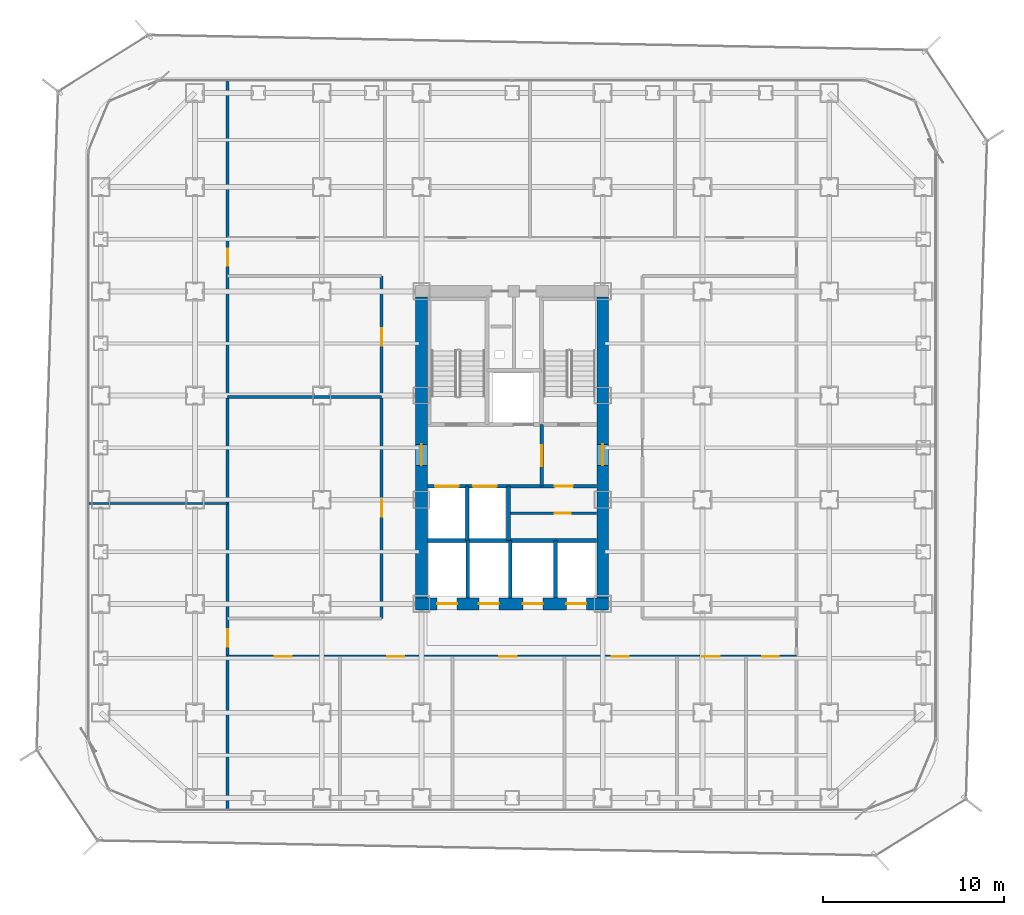
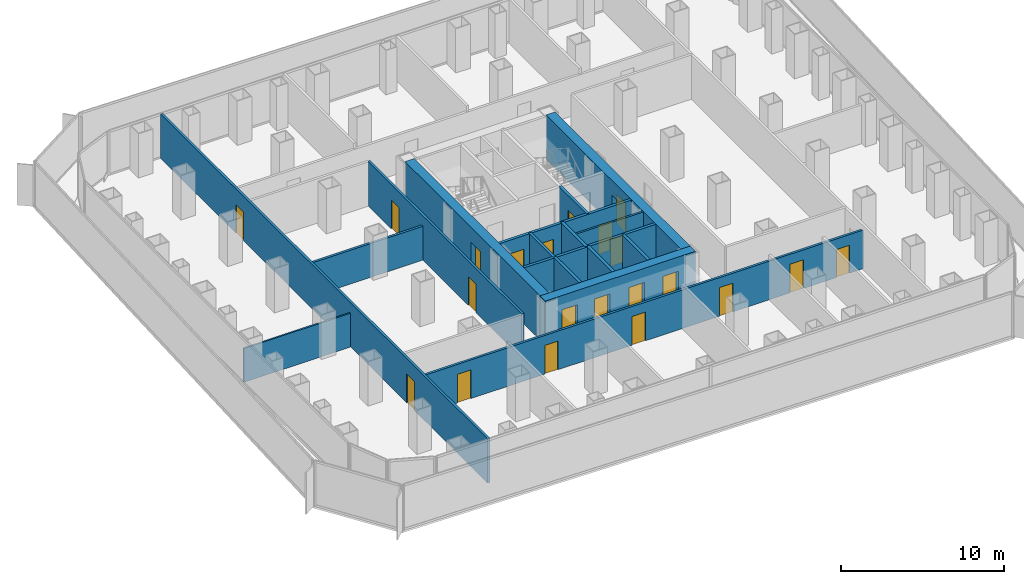
# One storey, part 17 of 22: 21 doors, 17 walls, 21 openings.
"""IFC4 building model written with IfcOpenShell, lengths in metres."""

from ifc_helpers import new_model, si_unit, direction, frame, frame_2d, origin, place, context, subcontext, project, spatial, rectangle, extrude, material, layer, layer_set, type_object, element, fill, save


model = new_model("IFC4")

# Units and contexts
model_context = context("Model", 3, precision=1e-05, world=origin(), true_north=direction((0.0, 1.0)))
body_context = subcontext(model_context, "Body", "Model", "MODEL_VIEW")
ifc_project = project(units=[si_unit("LENGTHUNIT", "METRE"), si_unit("AREAUNIT", "SQUARE_METRE"), si_unit("VOLUMEUNIT", "CUBIC_METRE"), si_unit("PLANEANGLEUNIT", "RADIAN"), si_unit("MASSUNIT", "GRAM", prefix="KILO")], contexts=[model_context])

# Site, building, storey
site_placement = place(None, origin())
site = spatial("IfcSite", under=ifc_project, at=site_placement, CompositionType="ELEMENT")
building_placement = place(site_placement, origin())
building = spatial("IfcBuilding", under=site, at=building_placement, Name="Kolveth Station Tower", CompositionType="ELEMENT")
storey_placement = place(building_placement, frame((0.0, 0.0, 69.300048828125)))
storey = spatial("IfcBuildingStorey", under=building, at=storey_placement, Name="L18", CompositionType="ELEMENT", Elevation=69.300048828125)

# Wall, openings, doors
ifc_material_1 = material(Name="Concrete C60/75", Category="concrete")
ifc_layer_1 = layer(ifc_material_1, 0.64990234375)
ifc_layer_set_1 = layer_set([ifc_layer_1], Name="Concrete C60/75")
wall_type_1 = type_object("IfcWallType", Name="Wall_CW-650", PredefinedType="SHEAR", material=ifc_layer_set_1)
wall_1_placement = place(storey_placement, frame((18.175048828125, 11.5, 0.0), z_axis=(0.0, 0.0, 1.0), x_axis=(1.0, 0.0, 0.0)))
wall_1 = element("IfcWall", 1, at=wall_1_placement, inside=storey, type_object=wall_type_1, Name="L18 Core RC Shear Wall S", PredefinedType="SHEAR", context=body_context, shape_type="SweptSolid", body=[
    extrude(rectangle(XDim=10.64990234375, YDim=0.64990234375, at=frame_2d((5.324951171875, 0.0))), origin(), (0.0, 0.0, 1.0), 3.320068359375),
])
opening_1_placement = place(wall_1_placement, frame((1.195068359375, 0.0, 0.0)))
opening_1 = element("IfcOpeningElement", 2, at=opening_1_placement, cuts=wall_1, Name="Opening LD1", PredefinedType="OPENING", context=body_context, shape_type="SweptSolid", body=[
    extrude(rectangle(XDim=1.10009765625, YDim=2.25, at=frame_2d((0.550048828125, 1.125))), frame((0.0, 0.3349609375, 0.0), z_axis=(0.0, -1.0, 0.0), x_axis=(1.0, 0.0, 0.0)), (0.0, 0.0, 1.0), 0.669921875),
])
opening_2_placement = place(wall_1_placement, frame((3.4951171875, 0.0, 0.0)))
opening_2 = element("IfcOpeningElement", 3, at=opening_2_placement, cuts=wall_1, Name="Opening LD1", PredefinedType="OPENING", context=body_context, shape_type="SweptSolid", body=[
    extrude(rectangle(XDim=1.10009765625, YDim=2.25, at=frame_2d((0.550048828125, 1.125))), frame((0.0, 0.3349609375, 0.0), z_axis=(0.0, -1.0, 0.0), x_axis=(1.0, 0.0, 0.0)), (0.0, 0.0, 1.0), 0.669921875),
])
opening_3_placement = place(wall_1_placement, frame((5.925048828125, 0.0, 0.0)))
opening_3 = element("IfcOpeningElement", 4, at=opening_3_placement, cuts=wall_1, Name="Opening LD1", PredefinedType="OPENING", context=body_context, shape_type="SweptSolid", body=[
    extrude(rectangle(XDim=1.10009765625, YDim=2.25, at=frame_2d((0.550048828125, 1.125))), frame((0.0, 0.3349609375, 0.0), z_axis=(0.0, -1.0, 0.0), x_axis=(1.0, 0.0, 0.0)), (0.0, 0.0, 1.0), 0.669921875),
])
opening_4_placement = place(wall_1_placement, frame((8.324951171875, 0.0, 0.0)))
opening_4 = element("IfcOpeningElement", 5, at=opening_4_placement, cuts=wall_1, Name="Opening LD1", PredefinedType="OPENING", context=body_context, shape_type="SweptSolid", body=[
    extrude(rectangle(XDim=1.10009765625, YDim=2.25, at=frame_2d((0.550048828125, 1.125))), frame((0.0, 0.3349609375, 0.0), z_axis=(0.0, -1.0, 0.0), x_axis=(1.0, 0.0, 0.0)), (0.0, 0.0, 1.0), 0.669921875),
])
ifc_material_2 = material(Name="Brushed stainless steel sliding landing doors", Category="steel")
door_type_1 = type_object("IfcDoorType", Name="Door_LD1", OperationType="NOTDEFINED", PredefinedType="DOOR", material=ifc_material_2)
door_1_placement = place(opening_1_placement, frame((1.10009765625, 0.0, 0.0), z_axis=(0.0, 0.0, 1.0), x_axis=(-1.0, 0.0, 0.0)))
door_1 = element("IfcDoor", 6, at=door_1_placement, inside=storey, type_object=door_type_1, Name="L18 Lift PL1 Landing Door", OperationType="DOUBLE_DOOR_SLIDING", OverallHeight=2.25, OverallWidth=1.10009765625, PredefinedType="DOOR", context=body_context, shape_type="SweptSolid", body=[
    extrude(rectangle(XDim=1.10009765625, YDim=2.25, at=frame_2d((0.550048828125, 1.125))), frame((0.0, 0.02490234375, 0.0), z_axis=(0.0, -1.0, 0.0), x_axis=(1.0, 0.0, 0.0)), (0.0, 0.0, 1.0), 0.050048828125),
])
fill(opening_1, door_1)
door_2_placement = place(opening_2_placement, frame((1.10009765625, 0.0, 0.0), z_axis=(0.0, 0.0, 1.0), x_axis=(-1.0, 0.0, 0.0)))
door_2 = element("IfcDoor", 7, at=door_2_placement, inside=storey, type_object=door_type_1, Name="L18 Lift PL2 Landing Door", OperationType="DOUBLE_DOOR_SLIDING", OverallHeight=2.25, OverallWidth=1.10009765625, PredefinedType="DOOR", context=body_context, shape_type="SweptSolid", body=[
    extrude(rectangle(XDim=1.10009765625, YDim=2.25, at=frame_2d((0.550048828125, 1.125))), frame((0.0, 0.02490234375, 0.0), z_axis=(0.0, -1.0, 0.0), x_axis=(1.0, 0.0, 0.0)), (0.0, 0.0, 1.0), 0.050048828125),
])
fill(opening_2, door_2)
door_3_placement = place(opening_3_placement, frame((1.10009765625, 0.0, 0.0), z_axis=(0.0, 0.0, 1.0), x_axis=(-1.0, 0.0, 0.0)))
door_3 = element("IfcDoor", 8, at=door_3_placement, inside=storey, type_object=door_type_1, Name="L18 Lift PM1 Landing Door", OperationType="DOUBLE_DOOR_SLIDING", OverallHeight=2.25, OverallWidth=1.10009765625, PredefinedType="DOOR", context=body_context, shape_type="SweptSolid", body=[
    extrude(rectangle(XDim=1.10009765625, YDim=2.25, at=frame_2d((0.550048828125, 1.125))), frame((0.0, 0.02490234375, 0.0), z_axis=(0.0, -1.0, 0.0), x_axis=(1.0, 0.0, 0.0)), (0.0, 0.0, 1.0), 0.050048828125),
])
fill(opening_3, door_3)
door_4_placement = place(opening_4_placement, frame((1.10009765625, 0.0, 0.0), z_axis=(0.0, 0.0, 1.0), x_axis=(-1.0, 0.0, 0.0)))
door_4 = element("IfcDoor", 9, at=door_4_placement, inside=storey, type_object=door_type_1, Name="L18 Lift PH1 Landing Door", OperationType="DOUBLE_DOOR_SLIDING", OverallHeight=2.25, OverallWidth=1.10009765625, PredefinedType="DOOR", context=body_context, shape_type="SweptSolid", body=[
    extrude(rectangle(XDim=1.10009765625, YDim=2.25, at=frame_2d((0.550048828125, 1.125))), frame((0.0, 0.02490234375, 0.0), z_axis=(0.0, -1.0, 0.0), x_axis=(1.0, 0.0, 0.0)), (0.0, 0.0, 1.0), 0.050048828125),
])
fill(opening_4, door_4)

# Wall, opening, door
wall_2_placement = place(storey_placement, frame((18.5, 11.824951171875, 0.0), z_axis=(0.0, 0.0, 1.0), x_axis=(0.0, 1.0, 0.0)))
wall_2 = element("IfcWall", 10, at=wall_2_placement, inside=storey, type_object=wall_type_1, Name="L18 Core RC Shear Wall W", PredefinedType="SHEAR", context=body_context, shape_type="SweptSolid", body=[
    extrude(rectangle(XDim=16.60009765625, YDim=0.64990234375, at=frame_2d((8.300048828125, 0.0))), origin(), (0.0, 0.0, 1.0), 3.320068359375),
])
opening_5_placement = place(wall_2_placement, frame((7.324951171875, 0.0, 0.0)))
opening_5 = element("IfcOpeningElement", 11, at=opening_5_placement, cuts=wall_2, Name="Opening FD1", PredefinedType="OPENING", context=body_context, shape_type="SweptSolid", body=[
    extrude(rectangle(XDim=1.14990234375, YDim=2.199951171875, at=frame_2d((0.574951171875, 1.10009765625))), frame((0.0, 0.3349609375, 0.0), z_axis=(0.0, -1.0, 0.0), x_axis=(1.0, 0.0, 0.0)), (0.0, 0.0, 1.0), 0.669921875),
])
ifc_material_3 = material(Name="Fire-rated Steel S355 leaf and frame", Category="steel")
door_type_2 = type_object("IfcDoorType", Name="Door_FD1", OperationType="NOTDEFINED", PredefinedType="DOOR", material=ifc_material_3)
door_5_placement = place(opening_5_placement, frame((1.14990234375, 0.0, 0.0), z_axis=(0.0, 0.0, 1.0), x_axis=(-1.0, 0.0, 0.0)))
door_5 = element("IfcDoor", 12, at=door_5_placement, inside=storey, type_object=door_type_2, Name="L18 West Corridor to Firefighting Lobby Door", OperationType="SINGLE_SWING_RIGHT", OverallHeight=2.199951171875, OverallWidth=1.14990234375, PredefinedType="DOOR", context=body_context, shape_type="SweptSolid", body=[
    extrude(rectangle(XDim=1.14990234375, YDim=2.199951171875, at=frame_2d((0.574951171875, 1.10009765625))), frame((0.0, 0.02490234375, 0.0), z_axis=(0.0, -1.0, 0.0), x_axis=(1.0, 0.0, 0.0)), (0.0, 0.0, 1.0), 0.050048828125),
])
fill(opening_5, door_5)

wall_3_placement = place(storey_placement, frame((28.5, 11.824951171875, 0.0), z_axis=(0.0, 0.0, 1.0), x_axis=(0.0, 1.0, 0.0)))
wall_3 = element("IfcWall", 13, at=wall_3_placement, inside=storey, type_object=wall_type_1, Name="L18 Core RC Shear Wall E", PredefinedType="SHEAR", context=body_context, shape_type="SweptSolid", body=[
    extrude(rectangle(XDim=16.60009765625, YDim=0.64990234375, at=frame_2d((8.300048828125, 0.0))), origin(), (0.0, 0.0, 1.0), 3.320068359375),
])
opening_6_placement = place(wall_3_placement, frame((7.324951171875, 0.0, 0.0)))
opening_6 = element("IfcOpeningElement", 14, at=opening_6_placement, cuts=wall_3, Name="Opening FD1", PredefinedType="OPENING", context=body_context, shape_type="SweptSolid", body=[
    extrude(rectangle(XDim=1.14990234375, YDim=2.199951171875, at=frame_2d((0.574951171875, 1.10009765625))), frame((0.0, 0.3349609375, 0.0), z_axis=(0.0, -1.0, 0.0), x_axis=(1.0, 0.0, 0.0)), (0.0, 0.0, 1.0), 0.669921875),
])
door_6_placement = place(opening_6_placement, origin())
door_6 = element("IfcDoor", 15, at=door_6_placement, inside=storey, type_object=door_type_2, Name="L18 East Corridor to Stair Lobby Door", OperationType="SINGLE_SWING_LEFT", OverallHeight=2.199951171875, OverallWidth=1.14990234375, PredefinedType="DOOR", context=body_context, shape_type="SweptSolid", body=[
    extrude(rectangle(XDim=1.14990234375, YDim=2.199951171875, at=frame_2d((0.574951171875, 1.10009765625))), frame((0.0, 0.02490234375, 0.0), z_axis=(0.0, -1.0, 0.0), x_axis=(1.0, 0.0, 0.0)), (0.0, 0.0, 1.0), 0.050048828125),
])
fill(opening_6, door_6)

# Wall
ifc_material_4 = material(Name="Framed gypsum partition")
ifc_layer_2 = layer(ifc_material_4, 0.114990234375)
ifc_layer_set_2 = layer_set([ifc_layer_2], Name="Framed gypsum partition")
wall_type_2 = type_object("IfcWallType", Name="Wall_IW-115", PredefinedType="PARTITIONING", material=ifc_layer_set_2)
wall_4_placement = place(storey_placement, frame((0.159912109375, 17.050048828125, 0.0), z_axis=(0.0, 0.0, 1.0), x_axis=(1.0, 0.0, 0.0)))
element("IfcWall", 16, at=wall_4_placement, inside=storey, type_object=wall_type_2, Name="L18 Partition Wall WL-L18-OWM", PredefinedType="PARTITIONING", context=body_context, shape_type="SweptSolid", body=[
    extrude(rectangle(XDim=7.64013671875, YDim=0.114990234375, at=frame_2d((3.820068359375, 0.0))), origin(), (0.0, 0.0, 1.0), 2.5390625),
])

# Wall, opening, door
ifc_material_5 = material(Name="Moisture-resistant gypsum partition")
ifc_layer_3 = layer(ifc_material_5, 0.135009765625)
ifc_layer_set_3 = layer_set([ifc_layer_3], Name="Moisture-resistant gypsum partition")
wall_type_3 = type_object("IfcWallType", Name="Wall_IW-135", PredefinedType="PARTITIONING", material=ifc_layer_set_3)
wall_5_placement = place(storey_placement, frame((23.300048828125, 16.5, 0.0), z_axis=(0.0, 0.0, 1.0), x_axis=(1.0, 0.0, 0.0)))
wall_5 = element("IfcWall", 17, at=wall_5_placement, inside=storey, type_object=wall_type_3, Name="L18 Partition Wall WL-L18-CB-H1", PredefinedType="PARTITIONING", context=body_context, shape_type="SweptSolid", body=[
    extrude(rectangle(XDim=4.864990234375, YDim=0.135009765625, at=frame_2d((2.4326171875, 0.0))), origin(), (0.0, 0.0, 1.0), 3.320068359375),
])
opening_7_placement = place(wall_5_placement, frame((2.550048828125, 0.0, 0.0)))
opening_7 = element("IfcOpeningElement", 18, at=opening_7_placement, cuts=wall_5, Name="Opening RD1", PredefinedType="OPENING", context=body_context, shape_type="SweptSolid", body=[
    extrude(rectangle(XDim=0.89990234375, YDim=2.050048828125, at=frame_2d((0.449951171875, 1.02490234375))), frame((0.0, 0.077392578125, 0.0), z_axis=(0.0, -1.0, 0.0), x_axis=(1.0, 0.0, 0.0)), (0.0, 0.0, 1.0), 0.155029296875),
])
ifc_material_6 = material(Name="Fire-rated Steel S355 riser access leaf", Category="steel")
door_type_3 = type_object("IfcDoorType", Name="Door_RD1", OperationType="NOTDEFINED", PredefinedType="DOOR", material=ifc_material_6)
door_7_placement = place(opening_7_placement, frame((0.89990234375, 0.0, 0.0), z_axis=(0.0, 0.0, 1.0), x_axis=(-1.0, 0.0, 0.0)))
door_7 = element("IfcDoor", 19, at=door_7_placement, inside=storey, type_object=door_type_3, Name="L18 Core Equipment Store Door", OperationType="SINGLE_SWING_LEFT", OverallHeight=2.050048828125, OverallWidth=0.89990234375, PredefinedType="DOOR", context=body_context, shape_type="SweptSolid", body=[
    extrude(rectangle(XDim=0.89990234375, YDim=2.050048828125, at=frame_2d((0.449951171875, 1.02490234375))), frame((0.0, 0.02490234375, 0.0), z_axis=(0.0, -1.0, 0.0), x_axis=(1.0, 0.0, 0.0)), (0.0, 0.0, 1.0), 0.050048828125),
])
fill(opening_7, door_7)

# Wall, openings, doors
ifc_material_7 = material(Name="Acoustic double-stud gypsum partition")
ifc_layer_4 = layer(ifc_material_7, 0.1650390625)
ifc_layer_set_4 = layer_set([ifc_layer_4], Name="Acoustic double-stud gypsum partition")
wall_type_4 = type_object("IfcWallType", Name="Wall_IW-165", PredefinedType="PARTITIONING", material=ifc_layer_set_4)
wall_6_placement = place(storey_placement, frame((7.800048828125, 8.60009765625, 0.0), z_axis=(0.0, 0.0, 1.0), x_axis=(1.0, 0.0, 0.0)))
wall_6 = element("IfcWall", 20, at=wall_6_placement, inside=storey, type_object=wall_type_4, Name="L18 Partition Wall WL-L18-OS", PredefinedType="PARTITIONING", context=body_context, shape_type="SweptSolid", body=[
    extrude(rectangle(XDim=31.39990234375, YDim=0.1650390625, at=frame_2d((15.699951171875, 0.0))), origin(), (0.0, 0.0, 1.0), 2.89794921875),
])
opening_8_placement = place(wall_6_placement, frame((2.60009765625, 0.0, 0.0)))
opening_8 = element("IfcOpeningElement", 21, at=opening_8_placement, cuts=wall_6, Name="Opening ID1", PredefinedType="OPENING", context=body_context, shape_type="SweptSolid", body=[
    extrude(rectangle(XDim=0.949951171875, YDim=2.14990234375, at=frame_2d((0.47509765625, 1.074951171875))), frame((0.0, 0.092529296875, 0.0), z_axis=(0.0, -1.0, 0.0), x_axis=(1.0, 0.0, 0.0)), (0.0, 0.0, 1.0), 0.18505859375),
])
opening_9_placement = place(wall_6_placement, frame((8.800048828125, 0.0, 0.0)))
opening_9 = element("IfcOpeningElement", 22, at=opening_9_placement, cuts=wall_6, Name="Opening ID1", PredefinedType="OPENING", context=body_context, shape_type="SweptSolid", body=[
    extrude(rectangle(XDim=0.949951171875, YDim=2.14990234375, at=frame_2d((0.47509765625, 1.074951171875))), frame((0.0, 0.092529296875, 0.0), z_axis=(0.0, -1.0, 0.0), x_axis=(1.0, 0.0, 0.0)), (0.0, 0.0, 1.0), 0.18505859375),
])
opening_10_placement = place(wall_6_placement, frame((15.0, 0.0, 0.0)))
opening_10 = element("IfcOpeningElement", 23, at=opening_10_placement, cuts=wall_6, Name="Opening ID1", PredefinedType="OPENING", context=body_context, shape_type="SweptSolid", body=[
    extrude(rectangle(XDim=0.949951171875, YDim=2.14990234375, at=frame_2d((0.47509765625, 1.074951171875))), frame((0.0, 0.092529296875, 0.0), z_axis=(0.0, -1.0, 0.0), x_axis=(1.0, 0.0, 0.0)), (0.0, 0.0, 1.0), 0.18505859375),
])
opening_11_placement = place(wall_6_placement, frame((21.199951171875, 0.0, 0.0)))
opening_11 = element("IfcOpeningElement", 24, at=opening_11_placement, cuts=wall_6, Name="Opening ID1", PredefinedType="OPENING", context=body_context, shape_type="SweptSolid", body=[
    extrude(rectangle(XDim=0.949951171875, YDim=2.14990234375, at=frame_2d((0.47509765625, 1.074951171875))), frame((0.0, 0.092529296875, 0.0), z_axis=(0.0, -1.0, 0.0), x_axis=(1.0, 0.0, 0.0)), (0.0, 0.0, 1.0), 0.18505859375),
])
opening_12_placement = place(wall_6_placement, frame((26.199951171875, 0.0, 0.0)))
opening_12 = element("IfcOpeningElement", 25, at=opening_12_placement, cuts=wall_6, Name="Opening ID1", PredefinedType="OPENING", context=body_context, shape_type="SweptSolid", body=[
    extrude(rectangle(XDim=0.949951171875, YDim=2.14990234375, at=frame_2d((0.47509765625, 1.074951171875))), frame((0.0, 0.092529296875, 0.0), z_axis=(0.0, -1.0, 0.0), x_axis=(1.0, 0.0, 0.0)), (0.0, 0.0, 1.0), 0.18505859375),
])
opening_13_placement = place(wall_6_placement, frame((29.5, 0.0, 0.0)))
opening_13 = element("IfcOpeningElement", 26, at=opening_13_placement, cuts=wall_6, Name="Opening ID2", PredefinedType="OPENING", context=body_context, shape_type="SweptSolid", body=[
    extrude(rectangle(XDim=0.919921875, YDim=2.10009765625, at=frame_2d((0.4599609375, 1.050048828125))), frame((0.0, 0.092529296875, 0.0), z_axis=(0.0, -1.0, 0.0), x_axis=(1.0, 0.0, 0.0)), (0.0, 0.0, 1.0), 0.18505859375),
])
ifc_material_8 = material(Name="Acoustic hardwood leaf and aluminium frame", Category="wood")
door_type_4 = type_object("IfcDoorType", Name="Door_ID1", OperationType="NOTDEFINED", PredefinedType="DOOR", material=ifc_material_8)
door_8_placement = place(opening_8_placement, frame((0.949951171875, 0.0, 0.0), z_axis=(0.0, 0.0, 1.0), x_axis=(-1.0, 0.0, 0.0)))
door_8 = element("IfcDoor", 27, at=door_8_placement, inside=storey, type_object=door_type_4, Name="L18 Meeting Room A Door", OperationType="SINGLE_SWING_RIGHT", OverallHeight=2.14990234375, OverallWidth=0.949951171875, PredefinedType="DOOR", context=body_context, shape_type="SweptSolid", body=[
    extrude(rectangle(XDim=0.949951171875, YDim=2.14990234375, at=frame_2d((0.47509765625, 1.074951171875))), frame((0.0, 0.02490234375, 0.0), z_axis=(0.0, -1.0, 0.0), x_axis=(1.0, 0.0, 0.0)), (0.0, 0.0, 1.0), 0.050048828125),
])
fill(opening_8, door_8)
door_9_placement = place(opening_9_placement, frame((0.949951171875, 0.0, 0.0), z_axis=(0.0, 0.0, 1.0), x_axis=(-1.0, 0.0, 0.0)))
door_9 = element("IfcDoor", 28, at=door_9_placement, inside=storey, type_object=door_type_4, Name="L18 Meeting Room B Door", OperationType="SINGLE_SWING_LEFT", OverallHeight=2.14990234375, OverallWidth=0.949951171875, PredefinedType="DOOR", context=body_context, shape_type="SweptSolid", body=[
    extrude(rectangle(XDim=0.949951171875, YDim=2.14990234375, at=frame_2d((0.47509765625, 1.074951171875))), frame((0.0, 0.02490234375, 0.0), z_axis=(0.0, -1.0, 0.0), x_axis=(1.0, 0.0, 0.0)), (0.0, 0.0, 1.0), 0.050048828125),
])
fill(opening_9, door_9)
door_10_placement = place(opening_10_placement, frame((0.949951171875, 0.0, 0.0), z_axis=(0.0, 0.0, 1.0), x_axis=(-1.0, 0.0, 0.0)))
door_10 = element("IfcDoor", 29, at=door_10_placement, inside=storey, type_object=door_type_4, Name="L18 Meeting Room C Door", OperationType="SINGLE_SWING_RIGHT", OverallHeight=2.14990234375, OverallWidth=0.949951171875, PredefinedType="DOOR", context=body_context, shape_type="SweptSolid", body=[
    extrude(rectangle(XDim=0.949951171875, YDim=2.14990234375, at=frame_2d((0.47509765625, 1.074951171875))), frame((0.0, 0.02490234375, 0.0), z_axis=(0.0, -1.0, 0.0), x_axis=(1.0, 0.0, 0.0)), (0.0, 0.0, 1.0), 0.050048828125),
])
fill(opening_10, door_10)
door_11_placement = place(opening_11_placement, frame((0.949951171875, 0.0, 0.0), z_axis=(0.0, 0.0, 1.0), x_axis=(-1.0, 0.0, 0.0)))
door_11 = element("IfcDoor", 30, at=door_11_placement, inside=storey, type_object=door_type_4, Name="L18 Meeting Room D Door", OperationType="SINGLE_SWING_LEFT", OverallHeight=2.14990234375, OverallWidth=0.949951171875, PredefinedType="DOOR", context=body_context, shape_type="SweptSolid", body=[
    extrude(rectangle(XDim=0.949951171875, YDim=2.14990234375, at=frame_2d((0.47509765625, 1.074951171875))), frame((0.0, 0.02490234375, 0.0), z_axis=(0.0, -1.0, 0.0), x_axis=(1.0, 0.0, 0.0)), (0.0, 0.0, 1.0), 0.050048828125),
])
fill(opening_11, door_11)
door_12_placement = place(opening_12_placement, frame((0.949951171875, 0.0, 0.0), z_axis=(0.0, 0.0, 1.0), x_axis=(-1.0, 0.0, 0.0)))
door_12 = element("IfcDoor", 31, at=door_12_placement, inside=storey, type_object=door_type_4, Name="L18 Office Pantry Door", OperationType="SINGLE_SWING_LEFT", OverallHeight=2.14990234375, OverallWidth=0.949951171875, PredefinedType="DOOR", context=body_context, shape_type="SweptSolid", body=[
    extrude(rectangle(XDim=0.949951171875, YDim=2.14990234375, at=frame_2d((0.47509765625, 1.074951171875))), frame((0.0, 0.02490234375, 0.0), z_axis=(0.0, -1.0, 0.0), x_axis=(1.0, 0.0, 0.0)), (0.0, 0.0, 1.0), 0.050048828125),
])
fill(opening_12, door_12)
ifc_material_9 = material(Name="Moisture-resistant hardwood leaf", Category="wood")
door_type_5 = type_object("IfcDoorType", Name="Door_ID2", OperationType="NOTDEFINED", PredefinedType="DOOR", material=ifc_material_9)
door_13_placement = place(opening_13_placement, frame((0.919921875, 0.0, 0.0), z_axis=(0.0, 0.0, 1.0), x_axis=(-1.0, 0.0, 0.0)))
door_13 = element("IfcDoor", 32, at=door_13_placement, inside=storey, type_object=door_type_5, Name="L18 Accessible WC Door", OperationType="SINGLE_SWING_LEFT", OverallHeight=2.10009765625, OverallWidth=0.919921875, PredefinedType="DOOR", context=body_context, shape_type="SweptSolid", body=[
    extrude(rectangle(XDim=0.919921875, YDim=2.10009765625, at=frame_2d((0.4599609375, 1.050048828125))), frame((0.0, 0.02490234375, 0.0), z_axis=(0.0, -1.0, 0.0), x_axis=(1.0, 0.0, 0.0)), (0.0, 0.0, 1.0), 0.050048828125),
])
fill(opening_13, door_13)

wall_7_placement = place(storey_placement, frame((16.300048828125, 10.699951171875, 0.0), z_axis=(0.0, 0.0, 1.0), x_axis=(0.0, 1.0, 0.0)))
wall_7 = element("IfcWall", 33, at=wall_7_placement, inside=storey, type_object=wall_type_4, Name="L18 Partition Wall WL-L18-OCW", PredefinedType="PARTITIONING", context=body_context, shape_type="SweptSolid", body=[
    extrude(rectangle(XDim=18.900146484375, YDim=0.1650390625, at=frame_2d((9.4501953125, 0.0))), origin(), (0.0, 0.0, 1.0), 3.320068359375),
])
opening_14_placement = place(wall_7_placement, frame((5.611083984375, 0.0, 0.0)))
opening_14 = element("IfcOpeningElement", 34, at=opening_14_placement, cuts=wall_7, Name="Opening ID1", PredefinedType="OPENING", context=body_context, shape_type="SweptSolid", body=[
    extrude(rectangle(XDim=0.949951171875, YDim=2.14990234375, at=frame_2d((0.47509765625, 1.074951171875))), frame((0.0, 0.092529296875, 0.0), z_axis=(0.0, -1.0, 0.0), x_axis=(1.0, 0.0, 0.0)), (0.0, 0.0, 1.0), 0.18505859375),
])
opening_15_placement = place(wall_7_placement, frame((15.06103515625, 0.0, 0.0)))
opening_15 = element("IfcOpeningElement", 35, at=opening_15_placement, cuts=wall_7, Name="Opening ID1", PredefinedType="OPENING", context=body_context, shape_type="SweptSolid", body=[
    extrude(rectangle(XDim=0.949951171875, YDim=2.14990234375, at=frame_2d((0.47509765625, 1.074951171875))), frame((0.0, 0.092529296875, 0.0), z_axis=(0.0, -1.0, 0.0), x_axis=(1.0, 0.0, 0.0)), (0.0, 0.0, 1.0), 0.18505859375),
])
door_14_placement = place(opening_14_placement, frame((0.949951171875, 0.0, 0.0), z_axis=(0.0, 0.0, 1.0), x_axis=(-1.0, 0.0, 0.0)))
door_14 = element("IfcDoor", 36, at=door_14_placement, inside=storey, type_object=door_type_4, Name="L18 Internal Meeting Room W1 Door", OperationType="SINGLE_SWING_LEFT", OverallHeight=2.14990234375, OverallWidth=0.949951171875, PredefinedType="DOOR", context=body_context, shape_type="SweptSolid", body=[
    extrude(rectangle(XDim=0.949951171875, YDim=2.14990234375, at=frame_2d((0.47509765625, 1.074951171875))), frame((0.0, 0.02490234375, 0.0), z_axis=(0.0, -1.0, 0.0), x_axis=(1.0, 0.0, 0.0)), (0.0, 0.0, 1.0), 0.050048828125),
])
fill(opening_14, door_14)
door_15_placement = place(opening_15_placement, frame((0.949951171875, 0.0, 0.0), z_axis=(0.0, 0.0, 1.0), x_axis=(-1.0, 0.0, 0.0)))
door_15 = element("IfcDoor", 37, at=door_15_placement, inside=storey, type_object=door_type_4, Name="L18 Print and Archive Room Door", OperationType="SINGLE_SWING_LEFT", OverallHeight=2.14990234375, OverallWidth=0.949951171875, PredefinedType="DOOR", context=body_context, shape_type="SweptSolid", body=[
    extrude(rectangle(XDim=0.949951171875, YDim=2.14990234375, at=frame_2d((0.47509765625, 1.074951171875))), frame((0.0, 0.02490234375, 0.0), z_axis=(0.0, -1.0, 0.0), x_axis=(1.0, 0.0, 0.0)), (0.0, 0.0, 1.0), 0.050048828125),
])
fill(opening_15, door_15)

wall_8_placement = place(storey_placement, frame((7.800048828125, 0.159912109375, 0.0), z_axis=(0.0, 0.0, 1.0), x_axis=(0.0, 1.0, 0.0)))
wall_8 = element("IfcWall", 38, at=wall_8_placement, inside=storey, type_object=wall_type_4, Name="L18 Partition Wall WL-L18-OWEND", PredefinedType="PARTITIONING", context=body_context, shape_type="SweptSolid", body=[
    extrude(rectangle(XDim=40.18017578125, YDim=0.1650390625, at=frame_2d((20.090087890625, 0.0))), origin(), (0.0, 0.0, 1.0), 3.320068359375),
])
opening_16_placement = place(wall_8_placement, frame((8.989990234375, 0.0, 0.0)))
opening_16 = element("IfcOpeningElement", 39, at=opening_16_placement, cuts=wall_8, Name="Opening ID1", PredefinedType="OPENING", context=body_context, shape_type="SweptSolid", body=[
    extrude(rectangle(XDim=0.949951171875, YDim=2.14990234375, at=frame_2d((0.47509765625, 1.074951171875))), frame((0.0, 0.092529296875, 0.0), z_axis=(0.0, -1.0, 0.0), x_axis=(1.0, 0.0, 0.0)), (0.0, 0.0, 1.0), 0.18505859375),
])
opening_17_placement = place(wall_8_placement, frame((29.989990234375, 0.0, 0.0)))
opening_17 = element("IfcOpeningElement", 40, at=opening_17_placement, cuts=wall_8, Name="Opening ID1", PredefinedType="OPENING", context=body_context, shape_type="SweptSolid", body=[
    extrude(rectangle(XDim=0.949951171875, YDim=2.14990234375, at=frame_2d((0.47509765625, 1.074951171875))), frame((0.0, 0.092529296875, 0.0), z_axis=(0.0, -1.0, 0.0), x_axis=(1.0, 0.0, 0.0)), (0.0, 0.0, 1.0), 0.18505859375),
])
door_16_placement = place(opening_16_placement, frame((0.949951171875, 0.0, 0.0), z_axis=(0.0, 0.0, 1.0), x_axis=(-1.0, 0.0, 0.0)))
door_16 = element("IfcDoor", 41, at=door_16_placement, inside=storey, type_object=door_type_4, Name="L18 West-South Wing Door", OperationType="SINGLE_SWING_RIGHT", OverallHeight=2.14990234375, OverallWidth=0.949951171875, PredefinedType="DOOR", context=body_context, shape_type="SweptSolid", body=[
    extrude(rectangle(XDim=0.949951171875, YDim=2.14990234375, at=frame_2d((0.47509765625, 1.074951171875))), frame((0.0, 0.02490234375, 0.0), z_axis=(0.0, -1.0, 0.0), x_axis=(1.0, 0.0, 0.0)), (0.0, 0.0, 1.0), 0.050048828125),
])
fill(opening_16, door_16)
door_17_placement = place(opening_17_placement, frame((0.949951171875, 0.0, 0.0), z_axis=(0.0, 0.0, 1.0), x_axis=(-1.0, 0.0, 0.0)))
door_17 = element("IfcDoor", 42, at=door_17_placement, inside=storey, type_object=door_type_4, Name="L18 West-North Wing Door", OperationType="SINGLE_SWING_LEFT", OverallHeight=2.14990234375, OverallWidth=0.949951171875, PredefinedType="DOOR", context=body_context, shape_type="SweptSolid", body=[
    extrude(rectangle(XDim=0.949951171875, YDim=2.14990234375, at=frame_2d((0.47509765625, 1.074951171875))), frame((0.0, 0.02490234375, 0.0), z_axis=(0.0, -1.0, 0.0), x_axis=(1.0, 0.0, 0.0)), (0.0, 0.0, 1.0), 0.050048828125),
])
fill(opening_17, door_17)

# Wall
wall_9_placement = place(storey_placement, frame((7.800048828125, 22.922119140625, 0.0), z_axis=(0.0, 0.0, 1.0), x_axis=(1.0, 0.0, 0.0)))
element("IfcWall", 43, at=wall_9_placement, inside=storey, type_object=wall_type_4, Name="L18 Partition Wall WL-L18-OIW-P1", PredefinedType="PARTITIONING", context=body_context, shape_type="SweptSolid", body=[
    extrude(rectangle(XDim=8.5, YDim=0.1650390625, at=frame_2d((4.25, 0.0))), origin(), (0.0, 0.0, 1.0), 2.5390625),
])

# Wall, opening, door
ifc_material_10 = material(Name="Acoustic fire-rated gypsum blockwork", Category="masonry")
ifc_layer_5 = layer(ifc_material_10, 0.199951171875)
ifc_layer_set_5 = layer_set([ifc_layer_5], Name="Acoustic fire-rated gypsum blockwork")
wall_type_5 = type_object("IfcWallType", Name="Wall_IW-200", PredefinedType="PARTITIONING", material=ifc_layer_set_5)
wall_10_placement = place(storey_placement, frame((25.1298828125, 18.0, 0.0), z_axis=(0.0, 0.0, 1.0), x_axis=(0.0, 1.0, 0.0)))
wall_10 = element("IfcWall", 44, at=wall_10_placement, inside=storey, type_object=wall_type_5, Name="L18 Partition Wall WL-L18-FFL-E", PredefinedType="PARTITIONING", context=body_context, shape_type="SweptSolid", body=[
    extrude(rectangle(XDim=3.389892578125, YDim=0.199951171875, at=frame_2d((1.69482421875, 0.0))), origin(), (0.0, 0.0, 1.0), 3.320068359375),
])
opening_18_placement = place(wall_10_placement, frame((1.10009765625, 0.0, 0.0)))
opening_18 = element("IfcOpeningElement", 45, at=opening_18_placement, cuts=wall_10, Name="Opening FD1", PredefinedType="OPENING", context=body_context, shape_type="SweptSolid", body=[
    extrude(rectangle(XDim=1.14990234375, YDim=2.199951171875, at=frame_2d((0.574951171875, 1.10009765625))), frame((0.0, 0.10986328125, 0.0), z_axis=(0.0, -1.0, 0.0), x_axis=(1.0, 0.0, 0.0)), (0.0, 0.0, 1.0), 0.219970703125),
])
door_18_placement = place(opening_18_placement, origin())
door_18 = element("IfcDoor", 46, at=door_18_placement, inside=storey, type_object=door_type_2, Name="L18 Firefighting to Stair Lobby Door", OperationType="SINGLE_SWING_LEFT", OverallHeight=2.199951171875, OverallWidth=1.14990234375, PredefinedType="DOOR", context=body_context, shape_type="SweptSolid", body=[
    extrude(rectangle(XDim=1.14990234375, YDim=2.199951171875, at=frame_2d((0.574951171875, 1.10009765625))), frame((0.0, 0.02490234375, 0.0), z_axis=(0.0, -1.0, 0.0), x_axis=(1.0, 0.0, 0.0)), (0.0, 0.0, 1.0), 0.050048828125),
])
fill(opening_18, door_18)

# Wall, openings, doors
wall_11_placement = place(storey_placement, frame((18.8349609375, 18.0, 0.0), z_axis=(0.0, 0.0, 1.0), x_axis=(1.0, 0.0, 0.0)))
wall_11 = element("IfcWall", 47, at=wall_11_placement, inside=storey, type_object=wall_type_5, Name="L18 Partition Wall WL-L18-FFL-S", PredefinedType="PARTITIONING", context=body_context, shape_type="SweptSolid", body=[
    extrude(rectangle(XDim=9.330078125, YDim=0.199951171875, at=frame_2d((4.6650390625, 0.0))), origin(), (0.0, 0.0, 1.0), 3.320068359375),
])
opening_19_placement = place(wall_11_placement, frame((0.4150390625, 0.0, 0.0)))
opening_19 = element("IfcOpeningElement", 48, at=opening_19_placement, cuts=wall_11, Name="Opening LD2", PredefinedType="OPENING", context=body_context, shape_type="SweptSolid", body=[
    extrude(rectangle(XDim=1.300048828125, YDim=2.300048828125, at=frame_2d((0.64990234375, 1.14990234375))), frame((0.0, 0.10986328125, 0.0), z_axis=(0.0, -1.0, 0.0), x_axis=(1.0, 0.0, 0.0)), (0.0, 0.0, 1.0), 0.219970703125),
])
opening_20_placement = place(wall_11_placement, frame((2.514892578125, 0.0, 0.0)))
opening_20 = element("IfcOpeningElement", 49, at=opening_20_placement, cuts=wall_11, Name="Opening LD2", PredefinedType="OPENING", context=body_context, shape_type="SweptSolid", body=[
    extrude(rectangle(XDim=1.300048828125, YDim=2.300048828125, at=frame_2d((0.64990234375, 1.14990234375))), frame((0.0, 0.10986328125, 0.0), z_axis=(0.0, -1.0, 0.0), x_axis=(1.0, 0.0, 0.0)), (0.0, 0.0, 1.0), 0.219970703125),
])
opening_21_placement = place(wall_11_placement, frame((7.014892578125, 0.0, 0.0)))
opening_21 = element("IfcOpeningElement", 50, at=opening_21_placement, cuts=wall_11, Name="Opening FD3", PredefinedType="OPENING", context=body_context, shape_type="SweptSolid", body=[
    extrude(rectangle(XDim=1.0, YDim=2.14990234375, at=frame_2d((0.5, 1.074951171875))), frame((0.0, 0.10986328125, 0.0), z_axis=(0.0, -1.0, 0.0), x_axis=(1.0, 0.0, 0.0)), (0.0, 0.0, 1.0), 0.219970703125),
])
ifc_material_11 = material(Name="Fire-rated hardwood leaf and aluminium frame", Category="wood")
door_type_6 = type_object("IfcDoorType", Name="Door_FD3", OperationType="NOTDEFINED", PredefinedType="DOOR", material=ifc_material_11)
door_19_placement = place(opening_21_placement, frame((1.0, 0.0, 0.0), z_axis=(0.0, 0.0, 1.0), x_axis=(-1.0, 0.0, 0.0)))
door_19 = element("IfcDoor", 51, at=door_19_placement, inside=storey, type_object=door_type_6, Name="L18 Core Linen and Supply Store Door", OperationType="SINGLE_SWING_LEFT", OverallHeight=2.14990234375, OverallWidth=1.0, PredefinedType="DOOR", context=body_context, shape_type="SweptSolid", body=[
    extrude(rectangle(XDim=1.0, YDim=2.14990234375, at=frame_2d((0.5, 1.074951171875))), frame((0.0, 0.02490234375, 0.0), z_axis=(0.0, -1.0, 0.0), x_axis=(1.0, 0.0, 0.0)), (0.0, 0.0, 1.0), 0.050048828125),
])
fill(opening_21, door_19)
ifc_material_12 = material(Name="Firefighting stainless steel sliding landing doors", Category="steel")
door_type_7 = type_object("IfcDoorType", Name="Door_LD2", OperationType="NOTDEFINED", PredefinedType="DOOR", material=ifc_material_12)
door_20_placement = place(opening_19_placement, origin())
door_20 = element("IfcDoor", 52, at=door_20_placement, inside=storey, type_object=door_type_7, Name="L18 Firefighting Lift FF1 Landing Door", OperationType="DOUBLE_DOOR_SLIDING", OverallHeight=2.300048828125, OverallWidth=1.300048828125, PredefinedType="DOOR", context=body_context, shape_type="SweptSolid", body=[
    extrude(rectangle(XDim=1.300048828125, YDim=2.300048828125, at=frame_2d((0.64990234375, 1.14990234375))), frame((0.0, 0.02490234375, 0.0), z_axis=(0.0, -1.0, 0.0), x_axis=(1.0, 0.0, 0.0)), (0.0, 0.0, 1.0), 0.050048828125),
])
fill(opening_19, door_20)
door_21_placement = place(opening_20_placement, origin())
door_21 = element("IfcDoor", 53, at=door_21_placement, inside=storey, type_object=door_type_7, Name="L18 Firefighting Lift FF2 Landing Door", OperationType="DOUBLE_DOOR_SLIDING", OverallHeight=2.300048828125, OverallWidth=1.300048828125, PredefinedType="DOOR", context=body_context, shape_type="SweptSolid", body=[
    extrude(rectangle(XDim=1.300048828125, YDim=2.300048828125, at=frame_2d((0.64990234375, 1.14990234375))), frame((0.0, 0.02490234375, 0.0), z_axis=(0.0, -1.0, 0.0), x_axis=(1.0, 0.0, 0.0)), (0.0, 0.0, 1.0), 0.050048828125),
])
fill(opening_20, door_21)

# Walls
for number, where, z_axis, x_axis, name in (
    (54, (21.02001953125, 15.0, 0.0), (0.0, 0.0, 1.0), (0.0, 1.0, 0.0), "L18 Partition Wall WL-L18-FF12"),
    (55, (23.300048828125, 15.0, 0.0), (0.0, 0.0, 1.0), (0.0, 1.0, 0.0), "L18 Partition Wall WL-L18-FF2E"),
):
    element("IfcWall", number, at=place(storey_placement, frame(where, z_axis=z_axis, x_axis=x_axis)), inside=storey, type_object=wall_type_5, Name=name, PredefinedType="PARTITIONING", context=body_context, shape_type="SweptSolid", body=[
        extrude(rectangle(XDim=3.0, YDim=0.199951171875, at=frame_2d((1.5, 0.0))), origin(), (0.0, 0.0, 1.0), 3.320068359375),
    ])
wall_12_placement = place(storey_placement, frame((18.8349609375, 15.0, 0.0), z_axis=(0.0, 0.0, 1.0), x_axis=(1.0, 0.0, 0.0)))
element("IfcWall", 56, at=wall_12_placement, inside=storey, type_object=wall_type_5, Name="L18 Partition Wall WL-L18-BOH-S", PredefinedType="PARTITIONING", context=body_context, shape_type="SweptSolid", body=[
    extrude(rectangle(XDim=9.330078125, YDim=0.199951171875, at=frame_2d((4.6650390625, 0.0))), origin(), (0.0, 0.0, 1.0), 3.320068359375),
])
for number, where, z_axis, x_axis, name in (
    (57, (21.050048828125, 11.8349609375, 0.0), (0.0, 0.0, 1.0), (0.0, 1.0, 0.0), "L18 Partition Wall WL-L18-PL12"),
    (58, (23.39990234375, 11.8349609375, 0.0), (0.0, 0.0, 1.0), (0.0, 1.0, 0.0), "L18 Partition Wall WL-L18-PL2E"),
    (59, (25.89990234375, 11.8349609375, 0.0), (0.0, 0.0, 1.0), (0.0, 1.0, 0.0), "L18 Partition Wall WL-L18-PMPH"),
):
    element("IfcWall", number, at=place(storey_placement, frame(where, z_axis=z_axis, x_axis=x_axis)), inside=storey, type_object=wall_type_5, Name=name, PredefinedType="PARTITIONING", context=body_context, shape_type="SweptSolid", body=[
        extrude(rectangle(XDim=3.1650390625, YDim=0.199951171875, at=frame_2d((1.58251953125, 0.0))), origin(), (0.0, 0.0, 1.0), 3.320068359375),
    ])

save(model, "model.ifc")
